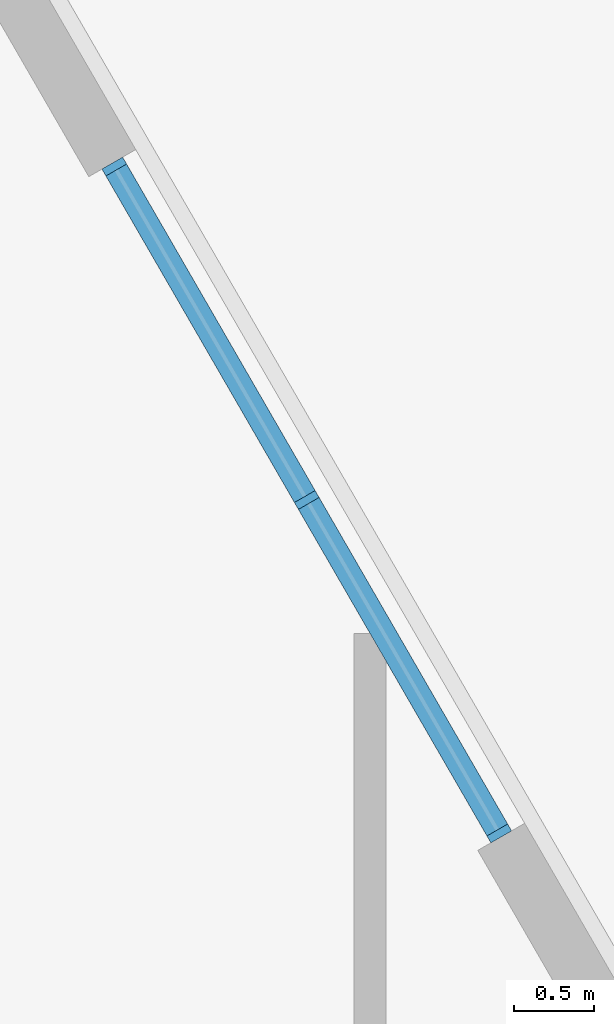
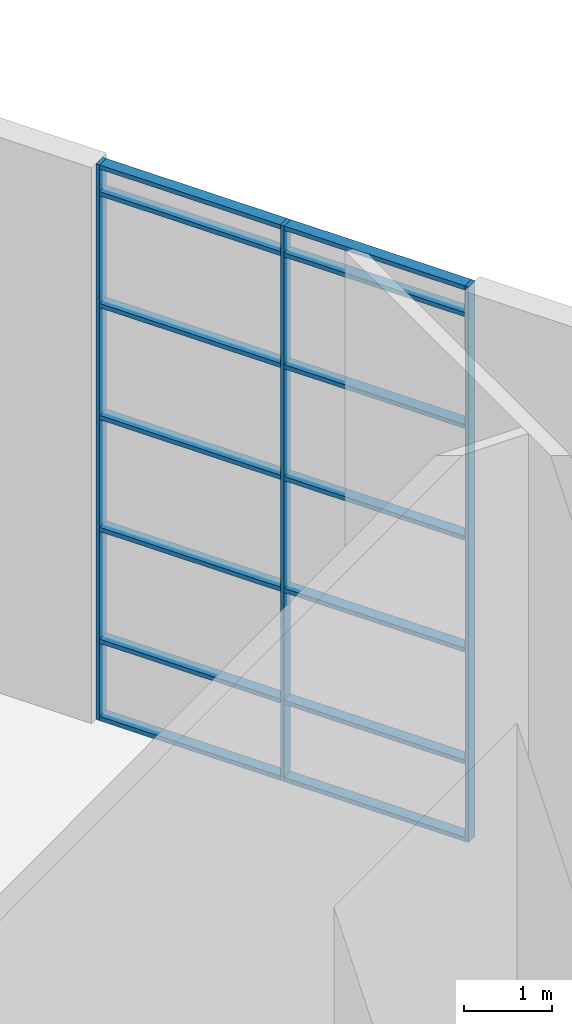
# One storey, part 7 of 24: 17 members, 1 element without a shape of its own.
"""IFC4 building model written with IfcOpenShell, lengths in metres."""

import ifcopenshell
import ifcopenshell.guid

model = None  # the IFC model being written
_history = None  # IfcOwnerHistory: only IFC2X3 demands one
_inside = {}  # id of a spatial element -> (the spatial element, [elements in it])
_under = {}  # id of a project, library or spatial element -> (it, [spatial elements below it])
_declared = {}  # id of a project -> (the project, [libraries it declares])
_typed = {}  # id of a type object -> (the type object, [elements of that type])
_made_of = {}  # id of a material, layer set ... -> (it, [elements and type objects made of it])


def new_model(schema):
    """Start an empty IFC model of exactly this schema.

    Asked for "IFC4X3", IfcOpenShell would pick the latest addendum, in which some entities
    have other attributes; the version numbers below select the first issue.
    IFC2X3 requires an IfcOwnerHistory on every rooted entity: one is made here for all.
    """
    global model, _history
    if schema == "IFC4X3":
        model = ifcopenshell.file(schema_version=(4, 3, 0, 0))
    else:
        model = ifcopenshell.file(schema=schema)
    _inside.clear()
    _under.clear()
    _declared.clear()
    _typed.clear()
    _made_of.clear()
    _history = None
    if model.schema == "IFC2X3":
        org = make("IfcOrganization", Name="unknown")
        user = make(
            "IfcPersonAndOrganization",
            ThePerson=make("IfcPerson", FamilyName="unknown"),
            TheOrganization=org,
        )
        app = make(
            "IfcApplication",
            ApplicationDeveloper=org,
            Version="unknown",
            ApplicationFullName="unknown",
            ApplicationIdentifier="unknown",
        )
        _history = make(
            "IfcOwnerHistory",
            OwningUser=user,
            OwningApplication=app,
            ChangeAction="ADDED",
            CreationDate=0,
        )
    return model


def make(cls, **values):
    """One entity of the class cls with the attributes given. An attribute that is None is left unset."""
    return model.create_entity(
        cls, **{name: value for name, value in values.items() if value is not None}
    )


def rooted(cls, **values):
    """An entity with a GlobalId (a new one), such as an element, a storey or a relation."""
    return make(cls, GlobalId=ifcopenshell.guid.new(), OwnerHistory=_history, **values)


def si_unit(unit_type, name, prefix=None):
    """IfcSIUnit, for example si_unit("LENGTHUNIT", "METRE", prefix="MILLI")."""
    return make("IfcSIUnit", UnitType=unit_type, Prefix=prefix, Name=name)


def assignment(units):
    """IfcUnitAssignment: the units of a project."""
    return None if units is None else make("IfcUnitAssignment", Units=units)


def point(xyz):
    """IfcCartesianPoint."""
    return None if xyz is None else make("IfcCartesianPoint", Coordinates=xyz)


def direction(xyz):
    """IfcDirection."""
    return None if xyz is None else make("IfcDirection", DirectionRatios=xyz)


def frame(location, z_axis=None, x_axis=None):
    """IfcAxis2Placement3D, a coordinate frame: its origin and axes. An axis left out is left unset."""
    return make(
        "IfcAxis2Placement3D",
        Location=point(location),
        Axis=direction(z_axis),
        RefDirection=direction(x_axis),
    )


def frame_2d(location, x_axis=None):
    """IfcAxis2Placement2D, a coordinate frame in the plane: its origin and x axis."""
    return make(
        "IfcAxis2Placement2D", Location=point(location), RefDirection=direction(x_axis)
    )


def origin():
    """The frame at (0, 0, 0) with its axes left unset."""
    return frame((0.0, 0.0, 0.0))


def origin_2d():
    """The frame at (0, 0) in the plane with its x axis left unset."""
    return frame_2d((0.0, 0.0))


def place(relative_to, where):
    """IfcLocalPlacement: puts the frame where relative to a parent placement (None: the world)."""
    return make(
        "IfcLocalPlacement", PlacementRelTo=relative_to, RelativePlacement=where
    )


def context(
    kind, dimensions, precision=None, world=None, true_north=None, identifier=None
):
    """IfcGeometricRepresentationContext, for example the 3D "Model" context."""
    return make(
        "IfcGeometricRepresentationContext",
        ContextIdentifier=identifier,
        ContextType=kind,
        CoordinateSpaceDimension=dimensions,
        Precision=precision,
        WorldCoordinateSystem=world,
        TrueNorth=true_north,
    )


def subcontext(parent, identifier, kind, view, scale=None):
    """IfcGeometricRepresentationSubContext, for example "Body" below "Model"."""
    return make(
        "IfcGeometricRepresentationSubContext",
        ContextIdentifier=identifier,
        ContextType=kind,
        ParentContext=parent,
        TargetScale=scale,
        TargetView=view,
    )


def project(units=None, contexts=None):
    """IfcProject with its units and contexts."""
    return rooted(
        "IfcProject",
        Name="project",
        RepresentationContexts=contexts,
        UnitsInContext=assignment(units),
    )


def spatial(cls, under=None, at=None, **own):
    """A site, building, storey or space (cls), placed at a placement, below another one or the project."""
    s = rooted(cls, ObjectPlacement=at, **own)
    if under is not None:
        _under.setdefault(under.id(), (under, []))[1].append(s)
    return s


def profile(cls, at=None, kind="AREA", **sizes):
    """A parametric profile (cls). Its sizes go by their IFC names, for example OverallWidth=200.0."""
    return make(cls, ProfileType=kind, Position=at, **sizes)


def rectangle(**sizes):
    """IfcRectangleProfileDef."""
    return profile("IfcRectangleProfileDef", **sizes)


def extrude(swept, where, along, depth):
    """IfcExtrudedAreaSolid: the profile swept, set in the frame where, extruded along a direction by depth."""
    return make(
        "IfcExtrudedAreaSolid",
        SweptArea=swept,
        Position=where,
        ExtrudedDirection=direction(along),
        Depth=depth,
    )


def shape(context_of_items, identifier, shape_type, items):
    """IfcShapeRepresentation: the items that make up one representation, for example the "Body"."""
    return make(
        "IfcShapeRepresentation",
        ContextOfItems=context_of_items,
        RepresentationIdentifier=identifier,
        RepresentationType=shape_type,
        Items=items,
    )


def material(Name=None, Category=None):
    """IfcMaterial."""
    return make("IfcMaterial", Name=Name, Category=Category)


def material_profile(
    of_material, cross_section, Name=None, Category=None, Priority=None
):
    """IfcMaterialProfile: a cross section and its material."""
    return make(
        "IfcMaterialProfile",
        Name=Name,
        Material=of_material,
        Profile=cross_section,
        Priority=Priority,
        Category=Category,
    )


def profile_set(profiles, Name=None, composite=None):
    """IfcMaterialProfileSet."""
    return make(
        "IfcMaterialProfileSet",
        Name=Name,
        MaterialProfiles=profiles,
        CompositeProfile=composite,
    )


def made_of(thing, what):
    """Note that an element or type object is made of a material, layer set ...; save() writes the relation."""
    if what is not None:
        _made_of.setdefault(what.id(), (what, []))[1].append(thing)
    return thing


def type_object(cls, material=None, **own):
    """A type object (cls), such as IfcWallType, which elements share."""
    return made_of(rooted(cls, **own), material)


def element(
    cls,
    number,
    at=None,
    inside=None,
    cuts=None,
    type_object=None,
    material=None,
    context=None,
    identifier="Body",
    shape_type=None,
    held_by="IfcProductDefinitionShape",
    body=None,
    shapes=None,
    **own,
):
    """One element of the class cls, such as IfcWall. Its Tag is "e" and its number.

    at: its placement. inside: the storey or other place that contains it. cuts: it is an
    opening in that element (IfcRelVoidsElement). A single representation is given by context,
    identifier, shape_type and body (its items); several are given by shapes. held_by: the class
    of the entity that holds the representations. save() writes the other relations.
    """
    e = rooted(cls, Tag="e%d" % number, ObjectPlacement=at, **own)
    if body is not None:
        shapes = [shape(context, identifier, shape_type, body)]
    if shapes is not None:
        e.Representation = make(held_by, Representations=shapes)
    if inside is not None:
        _inside.setdefault(inside.id(), (inside, []))[1].append(e)
    if cuts is not None:
        rooted(
            "IfcRelVoidsElement", RelatingBuildingElement=cuts, RelatedOpeningElement=e
        )
    if type_object is not None:
        _typed.setdefault(type_object.id(), (type_object, []))[1].append(e)
    return made_of(e, material)


def aggregate(whole, parts):
    """IfcRelAggregates: a whole, such as a stair, and the parts it consists of."""
    return rooted("IfcRelAggregates", RelatingObject=whole, RelatedObjects=parts)


def save(model, path):
    """Write the relations noted so far, then the file.

    IfcRelAggregates (storeys below a building ...), IfcRelContainedInSpatialStructure (elements
    in a storey), IfcRelDefinesByType, IfcRelAssociatesMaterial and IfcRelDeclares: one each for
    every whole, place, type object, material and project.
    """
    for whole, parts in _under.values():
        aggregate(whole, parts)
    for where, things in _inside.values():
        rooted(
            "IfcRelContainedInSpatialStructure",
            RelatedElements=things,
            RelatingStructure=where,
        )
    for kind, things in _typed.values():
        rooted("IfcRelDefinesByType", RelatedObjects=things, RelatingType=kind)
    for what, things in _made_of.values():
        rooted("IfcRelAssociatesMaterial", RelatedObjects=things, RelatingMaterial=what)
    for by, libraries in _declared.values():
        rooted("IfcRelDeclares", RelatingContext=by, RelatedDefinitions=libraries)
    model.write(path)


model = new_model("IFC4")

# Units and contexts
model_context = context("Model", 3, precision=1e-05, world=origin(), true_north=direction((0.0, 1.0)))
body_context = subcontext(model_context, "Body", "Model", "MODEL_VIEW")
ifc_project = project(units=[si_unit("LENGTHUNIT", "METRE"), si_unit("AREAUNIT", "SQUARE_METRE"), si_unit("VOLUMEUNIT", "CUBIC_METRE"), si_unit("PLANEANGLEUNIT", "RADIAN"), si_unit("MASSUNIT", "GRAM", prefix="KILO")], contexts=[model_context])

# Site, building, storey
site_placement = place(None, origin())
site = spatial("IfcSite", under=ifc_project, at=site_placement, CompositionType="ELEMENT")
building_placement = place(site_placement, origin())
building = spatial("IfcBuilding", under=site, at=building_placement, Name="Fogline Exchange Tower", CompositionType="ELEMENT")
storey_placement = place(building_placement, origin())
storey = spatial("IfcBuildingStorey", under=building, at=storey_placement, Name="L00", CompositionType="ELEMENT", Elevation=0.0)

# Curtain wall, members
ifc_material_1 = material(Name="Aluminium and glass", Category="aluminium")
curtain_wall_type = type_object("IfcCurtainWallType", Name="CW3", PredefinedType="NOTDEFINED", material=ifc_material_1)
curtain_wall_placement = place(storey_placement, origin())
curtain_wall = element("IfcCurtainWall", 1, at=curtain_wall_placement, inside=storey, type_object=curtain_wall_type, Name="CW3 L00 E run 4", PredefinedType="NOTDEFINED")
ifc_material_2 = material(Name="Aluminium", Category="aluminium")
ifc_material_profile_1 = material_profile(ifc_material_2, rectangle(XDim=0.14990234375, YDim=0.050048828125, at=origin_2d()), Name="Mullion 50x150")
ifc_profile_set_1 = profile_set([ifc_material_profile_1], Name="Aluminium")
member_type_1 = type_object("IfcMemberType", Name="CW3-M", PredefinedType="MULLION", material=ifc_profile_set_1)
member_1_placement = place(storey_placement, frame((16.8115234375, 53.679931640625, 0.0), z_axis=(0.0, 0.0, 1.0), x_axis=(-0.866025705857, -0.499999476794, 0.0)))
member_1 = element("IfcMember", 2, at=member_1_placement, type_object=member_type_1, Name="CW3-P00-02 mullion 1", PredefinedType="MULLION", context=body_context, shape_type="SweptSolid", body=[
    extrude(rectangle(XDim=0.14990234375, YDim=0.050048828125, at=origin_2d()), origin(), (0.0, 0.0, 1.0), 7.699951171875),
])
member_2_placement = place(storey_placement, frame((15.602783203125, 55.773681640625, 0.0), z_axis=(0.0, 0.0, 1.0), x_axis=(-0.866025705857, -0.499999476794, 0.0)))
member_2 = element("IfcMember", 3, at=member_2_placement, type_object=member_type_1, Name="CW3-P00-02 mullion 2", PredefinedType="MULLION", context=body_context, shape_type="SweptSolid", body=[
    extrude(rectangle(XDim=0.14990234375, YDim=0.050048828125, at=origin_2d()), origin(), (0.0, 0.0, 1.0), 7.699951171875),
])
member_3_placement = place(storey_placement, frame((14.39404296875, 57.8671875, 0.0), z_axis=(0.0, 0.0, 1.0), x_axis=(-0.866025705857, -0.499999476794, 0.0)))
member_3 = element("IfcMember", 4, at=member_3_placement, type_object=member_type_1, Name="CW3-P00-02 mullion 3", PredefinedType="MULLION", context=body_context, shape_type="SweptSolid", body=[
    extrude(rectangle(XDim=0.14990234375, YDim=0.050048828125, at=origin_2d()), origin(), (0.0, 0.0, 1.0), 7.699951171875),
])
ifc_material_profile_2 = material_profile(ifc_material_2, rectangle(XDim=0.14990234375, YDim=0.06005859375, at=origin_2d()), Name="Transom 60x150")
ifc_profile_set_2 = profile_set([ifc_material_profile_2], Name="Aluminium")
member_type_2 = type_object("IfcMemberType", Name="CW3-T", PredefinedType="USERDEFINED", material=ifc_profile_set_2)
member_4_placement = place(storey_placement, frame((16.799072265625, 53.70166015625, 0.030029296875), z_axis=(-0.500031897912, 0.866006986733, 0.0), x_axis=(-0.866006986733, -0.500031897912, 0.0)))
member_4 = element("IfcMember", 5, at=member_4_placement, type_object=member_type_2, Name="CW3-P00-02 transom 1.1", ObjectType="TRANSOM", PredefinedType="USERDEFINED", context=body_context, shape_type="SweptSolid", body=[
    extrude(rectangle(XDim=0.14990234375, YDim=0.06005859375, at=origin_2d()), origin(), (0.0, 0.0, 1.0), 2.367431640625),
])
member_5_placement = place(storey_placement, frame((16.799072265625, 53.70166015625, 1.10009765625), z_axis=(-0.500031897912, 0.866006986733, 0.0), x_axis=(-0.866006986733, -0.500031897912, 0.0)))
member_5 = element("IfcMember", 6, at=member_5_placement, type_object=member_type_2, Name="CW3-P00-02 transom 1.2", ObjectType="TRANSOM", PredefinedType="USERDEFINED", context=body_context, shape_type="SweptSolid", body=[
    extrude(rectangle(XDim=0.14990234375, YDim=0.06005859375, at=origin_2d()), origin(), (0.0, 0.0, 1.0), 2.367431640625),
])
member_6_placement = place(storey_placement, frame((16.799072265625, 53.70166015625, 2.64990234375), z_axis=(-0.500031897912, 0.866006986733, 0.0), x_axis=(-0.866006986733, -0.500031897912, 0.0)))
member_6 = element("IfcMember", 7, at=member_6_placement, type_object=member_type_2, Name="CW3-P00-02 transom 1.3", ObjectType="TRANSOM", PredefinedType="USERDEFINED", context=body_context, shape_type="SweptSolid", body=[
    extrude(rectangle(XDim=0.14990234375, YDim=0.06005859375, at=origin_2d()), origin(), (0.0, 0.0, 1.0), 2.367431640625),
])
member_7_placement = place(storey_placement, frame((16.799072265625, 53.70166015625, 4.199951171875), z_axis=(-0.500031897912, 0.866006986733, 0.0), x_axis=(-0.866006986733, -0.500031897912, 0.0)))
member_7 = element("IfcMember", 8, at=member_7_placement, type_object=member_type_2, Name="CW3-P00-02 transom 1.4", ObjectType="TRANSOM", PredefinedType="USERDEFINED", context=body_context, shape_type="SweptSolid", body=[
    extrude(rectangle(XDim=0.14990234375, YDim=0.06005859375, at=origin_2d()), origin(), (0.0, 0.0, 1.0), 2.367431640625),
])
member_8_placement = place(storey_placement, frame((16.799072265625, 53.70166015625, 5.75), z_axis=(-0.500031897912, 0.866006986733, 0.0), x_axis=(-0.866006986733, -0.500031897912, 0.0)))
member_8 = element("IfcMember", 9, at=member_8_placement, type_object=member_type_2, Name="CW3-P00-02 transom 1.5", ObjectType="TRANSOM", PredefinedType="USERDEFINED", context=body_context, shape_type="SweptSolid", body=[
    extrude(rectangle(XDim=0.14990234375, YDim=0.06005859375, at=origin_2d()), origin(), (0.0, 0.0, 1.0), 2.367431640625),
])
member_9_placement = place(storey_placement, frame((16.799072265625, 53.70166015625, 7.300048828125), z_axis=(-0.500031897912, 0.866006986733, 0.0), x_axis=(-0.866006986733, -0.500031897912, 0.0)))
member_9 = element("IfcMember", 10, at=member_9_placement, type_object=member_type_2, Name="CW3-P00-02 transom 1.6", ObjectType="TRANSOM", PredefinedType="USERDEFINED", context=body_context, shape_type="SweptSolid", body=[
    extrude(rectangle(XDim=0.14990234375, YDim=0.06005859375, at=origin_2d()), origin(), (0.0, 0.0, 1.0), 2.367431640625),
])
member_10_placement = place(storey_placement, frame((16.799072265625, 53.70166015625, 7.669921875), z_axis=(-0.500031897912, 0.866006986733, 0.0), x_axis=(-0.866006986733, -0.500031897912, 0.0)))
member_10 = element("IfcMember", 11, at=member_10_placement, type_object=member_type_2, Name="CW3-P00-02 transom 1.7", ObjectType="TRANSOM", PredefinedType="USERDEFINED", context=body_context, shape_type="SweptSolid", body=[
    extrude(rectangle(XDim=0.14990234375, YDim=0.06005859375, at=origin_2d()), origin(), (0.0, 0.0, 1.0), 2.367431640625),
])
member_11_placement = place(storey_placement, frame((15.59033203125, 55.79541015625, 0.030029296875), z_axis=(-0.500031897912, 0.866006986733, 0.0), x_axis=(-0.866006986733, -0.500031897912, 0.0)))
member_11 = element("IfcMember", 12, at=member_11_placement, type_object=member_type_2, Name="CW3-P00-02 transom 2.1", ObjectType="TRANSOM", PredefinedType="USERDEFINED", context=body_context, shape_type="SweptSolid", body=[
    extrude(rectangle(XDim=0.14990234375, YDim=0.06005859375, at=origin_2d()), origin(), (0.0, 0.0, 1.0), 2.367431640625),
])
member_12_placement = place(storey_placement, frame((15.59033203125, 55.79541015625, 1.10009765625), z_axis=(-0.500031897912, 0.866006986733, 0.0), x_axis=(-0.866006986733, -0.500031897912, 0.0)))
member_12 = element("IfcMember", 13, at=member_12_placement, type_object=member_type_2, Name="CW3-P00-02 transom 2.2", ObjectType="TRANSOM", PredefinedType="USERDEFINED", context=body_context, shape_type="SweptSolid", body=[
    extrude(rectangle(XDim=0.14990234375, YDim=0.06005859375, at=origin_2d()), origin(), (0.0, 0.0, 1.0), 2.367431640625),
])
member_13_placement = place(storey_placement, frame((15.59033203125, 55.79541015625, 2.64990234375), z_axis=(-0.500031897912, 0.866006986733, 0.0), x_axis=(-0.866006986733, -0.500031897912, 0.0)))
member_13 = element("IfcMember", 14, at=member_13_placement, type_object=member_type_2, Name="CW3-P00-02 transom 2.3", ObjectType="TRANSOM", PredefinedType="USERDEFINED", context=body_context, shape_type="SweptSolid", body=[
    extrude(rectangle(XDim=0.14990234375, YDim=0.06005859375, at=origin_2d()), origin(), (0.0, 0.0, 1.0), 2.367431640625),
])
member_14_placement = place(storey_placement, frame((15.59033203125, 55.79541015625, 4.199951171875), z_axis=(-0.500031897912, 0.866006986733, 0.0), x_axis=(-0.866006986733, -0.500031897912, 0.0)))
member_14 = element("IfcMember", 15, at=member_14_placement, type_object=member_type_2, Name="CW3-P00-02 transom 2.4", ObjectType="TRANSOM", PredefinedType="USERDEFINED", context=body_context, shape_type="SweptSolid", body=[
    extrude(rectangle(XDim=0.14990234375, YDim=0.06005859375, at=origin_2d()), origin(), (0.0, 0.0, 1.0), 2.367431640625),
])
member_15_placement = place(storey_placement, frame((15.59033203125, 55.79541015625, 5.75), z_axis=(-0.500031897912, 0.866006986733, 0.0), x_axis=(-0.866006986733, -0.500031897912, 0.0)))
member_15 = element("IfcMember", 16, at=member_15_placement, type_object=member_type_2, Name="CW3-P00-02 transom 2.5", ObjectType="TRANSOM", PredefinedType="USERDEFINED", context=body_context, shape_type="SweptSolid", body=[
    extrude(rectangle(XDim=0.14990234375, YDim=0.06005859375, at=origin_2d()), origin(), (0.0, 0.0, 1.0), 2.367431640625),
])
member_16_placement = place(storey_placement, frame((15.59033203125, 55.79541015625, 7.300048828125), z_axis=(-0.500031897912, 0.866006986733, 0.0), x_axis=(-0.866006986733, -0.500031897912, 0.0)))
member_16 = element("IfcMember", 17, at=member_16_placement, type_object=member_type_2, Name="CW3-P00-02 transom 2.6", ObjectType="TRANSOM", PredefinedType="USERDEFINED", context=body_context, shape_type="SweptSolid", body=[
    extrude(rectangle(XDim=0.14990234375, YDim=0.06005859375, at=origin_2d()), origin(), (0.0, 0.0, 1.0), 2.367431640625),
])
member_17_placement = place(storey_placement, frame((15.59033203125, 55.79541015625, 7.669921875), z_axis=(-0.500031897912, 0.866006986733, 0.0), x_axis=(-0.866006986733, -0.500031897912, 0.0)))
member_17 = element("IfcMember", 18, at=member_17_placement, type_object=member_type_2, Name="CW3-P00-02 transom 2.7", ObjectType="TRANSOM", PredefinedType="USERDEFINED", context=body_context, shape_type="SweptSolid", body=[
    extrude(rectangle(XDim=0.14990234375, YDim=0.06005859375, at=origin_2d()), origin(), (0.0, 0.0, 1.0), 2.367431640625),
])
aggregate(curtain_wall, [member_1, member_2, member_3, member_4, member_5, member_6, member_7, member_8, member_9, member_10, member_11, member_12, member_13, member_14, member_15, member_16, member_17])

save(model, "model.ifc")
